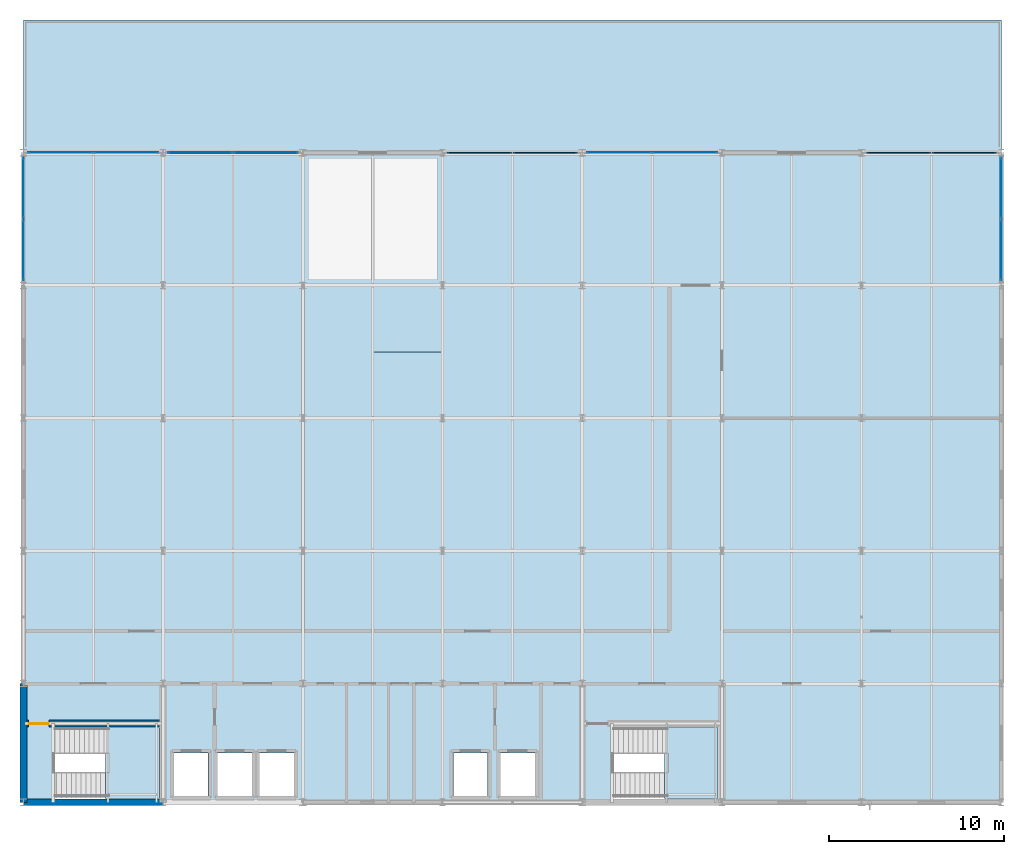
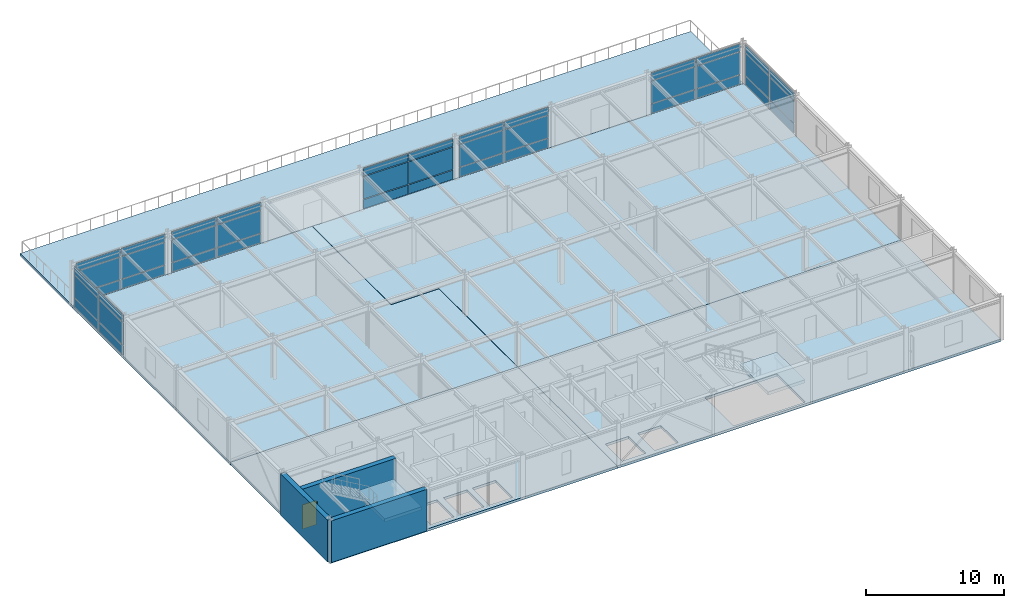
# One storey, part 12 of 17: 42 plates, 7 slabs, 3 walls, 1 door, 1 opening, 9 elements without a shape of their own.
"""IFC4 building model written with IfcOpenShell, lengths in metres."""

from ifc_helpers import new_model, si_unit, direction, frame, frame_2d, origin, origin_2d, place, context, subcontext, project, spatial, polyline, rectangle, outline, extrude, material, layer, layer_set, type_object, element, fill, aggregate, save


model = new_model("IFC4")

# Units and contexts
model_context = context("Model", 3, precision=1e-05, world=origin(), true_north=direction((0.0, 1.0)))
body_context = subcontext(model_context, "Body", "Model", "MODEL_VIEW")
ifc_project = project(units=[si_unit("LENGTHUNIT", "METRE"), si_unit("AREAUNIT", "SQUARE_METRE"), si_unit("VOLUMEUNIT", "CUBIC_METRE"), si_unit("PLANEANGLEUNIT", "RADIAN"), si_unit("MASSUNIT", "GRAM", prefix="KILO")], contexts=[model_context])

# Site, building, storey
site_placement = place(None, origin())
site = spatial("IfcSite", under=ifc_project, at=site_placement, CompositionType="ELEMENT")
building_placement = place(site_placement, origin())
building = spatial("IfcBuilding", under=site, at=building_placement, Name="Shalkamar Park Central Library", CompositionType="ELEMENT")
storey_placement = place(building_placement, frame((0.0, 0.0, 36.0)))
storey = spatial("IfcBuildingStorey", under=building, at=storey_placement, Name="L09", CompositionType="ELEMENT", Elevation=36.0)

# Curtain wall, plates
ifc_material_1 = material(Name="Thermally broken aluminium and triple low-e curtain wall", Category="aluminium")
ifc_layer_1 = layer(ifc_material_1, 0.27001953125)
ifc_layer_set_1 = layer_set([ifc_layer_1], Name="UnitisedCurtainWall_76")
curtain_wall_type_1 = type_object("IfcCurtainWallType", Name="Unitised Curtain Wall 76", PredefinedType="USERDEFINED", material=ifc_layer_set_1)
curtain_wall_1_placement = place(storey_placement, origin())
curtain_wall_1 = element("IfcCurtainWall", 1, at=curtain_wall_1_placement, inside=storey, type_object=curtain_wall_type_1, Name="Unitised Curtain Wall CW-L09-112", ObjectType="UNITISED CURTAIN WALL", PredefinedType="USERDEFINED")
ifc_material_2 = material(Name="Triple-glazed solar-control glass", Category="glass")
ifc_layer_2 = layer(ifc_material_2, 0.031982421875)
ifc_layer_set_2 = layer_set([ifc_layer_2], Name="SolarControlVisionPanel_32")
plate_type_1 = type_object("IfcPlateType", Name="Solar Control Vision Panel 32", PredefinedType="CURTAIN_PANEL", material=ifc_layer_set_2)
plate_1_placement = place(storey_placement, frame((167.121826171875, 285.60009765625, 0.06494140625), z_axis=(0.0, 0.0, 1.0), x_axis=(1.0, 0.0, 0.0)))
plate_1 = element("IfcPlate", 2, at=plate_1_placement, type_object=plate_type_1, Name="CW-76 panel 1.1", PredefinedType="CURTAIN_PANEL", context=body_context, shape_type="SweptSolid", body=[
    extrude(rectangle(XDim=3.677734375, YDim=0.031982421875, at=origin_2d()), origin(), (0.0, 0.0, 1.0), 0.802490234375),
])
plate_2_placement = place(storey_placement, frame((167.121826171875, 285.60009765625, 0.9326171875), z_axis=(0.0, 0.0, 1.0), x_axis=(1.0, 0.0, 0.0)))
plate_2 = element("IfcPlate", 3, at=plate_2_placement, type_object=plate_type_1, Name="CW-76 panel 1.2", PredefinedType="CURTAIN_PANEL", context=body_context, shape_type="SweptSolid", body=[
    extrude(rectangle(XDim=3.677734375, YDim=0.031982421875, at=origin_2d()), origin(), (0.0, 0.0, 1.0), 1.965087890625),
])
plate_3_placement = place(storey_placement, frame((167.121826171875, 285.60009765625, 2.96240234375), z_axis=(0.0, 0.0, 1.0), x_axis=(1.0, 0.0, 0.0)))
plate_3 = element("IfcPlate", 4, at=plate_3_placement, type_object=plate_type_1, Name="CW-76 panel 1.3", PredefinedType="CURTAIN_PANEL", context=body_context, shape_type="SweptSolid", body=[
    extrude(rectangle(XDim=3.677734375, YDim=0.031982421875, at=origin_2d()), origin(), (0.0, 0.0, 1.0), 0.652587890625),
])
plate_4_placement = place(storey_placement, frame((170.879638671875, 285.60009765625, 0.06494140625), z_axis=(0.0, 0.0, 1.0), x_axis=(1.0, 0.0, 0.0)))
plate_4 = element("IfcPlate", 5, at=plate_4_placement, type_object=plate_type_1, Name="CW-76 panel 2.1", PredefinedType="CURTAIN_PANEL", context=body_context, shape_type="SweptSolid", body=[
    extrude(rectangle(XDim=3.677734375, YDim=0.031982421875, at=origin_2d()), origin(), (0.0, 0.0, 1.0), 0.802490234375),
])
plate_5_placement = place(storey_placement, frame((170.879638671875, 285.60009765625, 0.9326171875), z_axis=(0.0, 0.0, 1.0), x_axis=(1.0, 0.0, 0.0)))
plate_5 = element("IfcPlate", 6, at=plate_5_placement, type_object=plate_type_1, Name="CW-76 panel 2.2", PredefinedType="CURTAIN_PANEL", context=body_context, shape_type="SweptSolid", body=[
    extrude(rectangle(XDim=3.677734375, YDim=0.031982421875, at=origin_2d()), origin(), (0.0, 0.0, 1.0), 1.965087890625),
])
plate_6_placement = place(storey_placement, frame((170.879638671875, 285.60009765625, 2.96240234375), z_axis=(0.0, 0.0, 1.0), x_axis=(1.0, 0.0, 0.0)))
plate_6 = element("IfcPlate", 7, at=plate_6_placement, type_object=plate_type_1, Name="CW-76 panel 2.3", PredefinedType="CURTAIN_PANEL", context=body_context, shape_type="SweptSolid", body=[
    extrude(rectangle(XDim=3.677734375, YDim=0.031982421875, at=origin_2d()), origin(), (0.0, 0.0, 1.0), 0.652587890625),
])
aggregate(curtain_wall_1, [plate_1, plate_2, plate_3, plate_4, plate_5, plate_6])

ifc_layer_3 = layer(ifc_material_1, 0.260009765625)
ifc_layer_set_3 = layer_set([ifc_layer_3], Name="UnitisedCurtainWall_80")
curtain_wall_type_2 = type_object("IfcCurtainWallType", Name="Unitised Curtain Wall 80", PredefinedType="USERDEFINED", material=ifc_layer_set_3)
curtain_wall_2_placement = place(storey_placement, origin())
curtain_wall_2 = element("IfcCurtainWall", 8, at=curtain_wall_2_placement, inside=storey, type_object=curtain_wall_type_2, Name="Unitised Curtain Wall CW-L09-115", ObjectType="UNITISED CURTAIN WALL", PredefinedType="USERDEFINED")
plate_7_placement = place(storey_placement, frame((199.12060546875, 285.60009765625, 0.06005859375), z_axis=(0.0, 0.0, 1.0), x_axis=(1.0, 0.0, 0.0)))
plate_7 = element("IfcPlate", 9, at=plate_7_placement, type_object=plate_type_1, Name="CW-80 panel 1.1", PredefinedType="CURTAIN_PANEL", context=body_context, shape_type="SweptSolid", body=[
    extrude(rectangle(XDim=3.685302734375, YDim=0.031982421875, at=origin_2d()), origin(), (0.0, 0.0, 1.0), 0.81005859375),
])
plate_8_placement = place(storey_placement, frame((199.12060546875, 285.60009765625, 0.93017578125), z_axis=(0.0, 0.0, 1.0), x_axis=(1.0, 0.0, 0.0)))
plate_8 = element("IfcPlate", 10, at=plate_8_placement, type_object=plate_type_1, Name="CW-80 panel 1.2", PredefinedType="CURTAIN_PANEL", context=body_context, shape_type="SweptSolid", body=[
    extrude(rectangle(XDim=3.685302734375, YDim=0.031982421875, at=origin_2d()), origin(), (0.0, 0.0, 1.0), 1.969970703125),
])
plate_9_placement = place(storey_placement, frame((199.12060546875, 285.60009765625, 2.9599609375), z_axis=(0.0, 0.0, 1.0), x_axis=(1.0, 0.0, 0.0)))
plate_9 = element("IfcPlate", 11, at=plate_9_placement, type_object=plate_type_1, Name="CW-80 panel 1.3", PredefinedType="CURTAIN_PANEL", context=body_context, shape_type="SweptSolid", body=[
    extrude(rectangle(XDim=3.685302734375, YDim=0.031982421875, at=origin_2d()), origin(), (0.0, 0.0, 1.0), 0.659912109375),
])
plate_10_placement = place(storey_placement, frame((202.880859375, 285.60009765625, 0.06005859375), z_axis=(0.0, 0.0, 1.0), x_axis=(1.0, 0.0, 0.0)))
plate_10 = element("IfcPlate", 12, at=plate_10_placement, type_object=plate_type_1, Name="CW-80 panel 2.1", PredefinedType="CURTAIN_PANEL", context=body_context, shape_type="SweptSolid", body=[
    extrude(rectangle(XDim=3.685302734375, YDim=0.031982421875, at=origin_2d()), origin(), (0.0, 0.0, 1.0), 0.81005859375),
])
plate_11_placement = place(storey_placement, frame((202.880859375, 285.60009765625, 0.93017578125), z_axis=(0.0, 0.0, 1.0), x_axis=(1.0, 0.0, 0.0)))
plate_11 = element("IfcPlate", 13, at=plate_11_placement, type_object=plate_type_1, Name="CW-80 panel 2.2", PredefinedType="CURTAIN_PANEL", context=body_context, shape_type="SweptSolid", body=[
    extrude(rectangle(XDim=3.685302734375, YDim=0.031982421875, at=origin_2d()), origin(), (0.0, 0.0, 1.0), 1.969970703125),
])
plate_12_placement = place(storey_placement, frame((202.880859375, 285.60009765625, 2.9599609375), z_axis=(0.0, 0.0, 1.0), x_axis=(1.0, 0.0, 0.0)))
plate_12 = element("IfcPlate", 14, at=plate_12_placement, type_object=plate_type_1, Name="CW-80 panel 2.3", PredefinedType="CURTAIN_PANEL", context=body_context, shape_type="SweptSolid", body=[
    extrude(rectangle(XDim=3.685302734375, YDim=0.031982421875, at=origin_2d()), origin(), (0.0, 0.0, 1.0), 0.659912109375),
])
aggregate(curtain_wall_2, [plate_7, plate_8, plate_9, plate_10, plate_11, plate_12])

ifc_layer_4 = layer(ifc_material_1, 0.25)
ifc_layer_set_4 = layer_set([ifc_layer_4], Name="UnitisedCurtainWall_79")
curtain_wall_type_3 = type_object("IfcCurtainWallType", Name="Unitised Curtain Wall 79", PredefinedType="USERDEFINED", material=ifc_layer_set_4)
curtain_wall_3_placement = place(storey_placement, origin())
curtain_wall_3 = element("IfcCurtainWall", 15, at=curtain_wall_3_placement, inside=storey, type_object=curtain_wall_type_3, Name="Unitised Curtain Wall CW-L09-114", ObjectType="UNITISED CURTAIN WALL", PredefinedType="USERDEFINED")
ifc_material_3 = material(Name="Insulated aluminium spandrel panel", Category="aluminium")
ifc_layer_5 = layer(ifc_material_3, 0.080078125)
ifc_layer_set_5 = layer_set([ifc_layer_5], Name="SpandrelShadowboxPanel_80")
plate_type_2 = type_object("IfcPlateType", Name="Spandrel Shadowbox Panel 80", PredefinedType="CURTAIN_PANEL", material=ifc_layer_set_5)
plate_13_placement = place(storey_placement, frame((191.119140625, 285.60009765625, 0.06005859375), z_axis=(0.0, 0.0, 1.0), x_axis=(1.0, 0.0, 0.0)))
plate_13 = element("IfcPlate", 16, at=plate_13_placement, type_object=plate_type_2, Name="CW-79 panel 1.1", PredefinedType="CURTAIN_PANEL", context=body_context, shape_type="SweptSolid", body=[
    extrude(rectangle(XDim=3.685302734375, YDim=0.080078125, at=origin_2d()), origin(), (0.0, 0.0, 1.0), 0.81005859375),
])
plate_14_placement = place(storey_placement, frame((191.119140625, 285.60009765625, 0.93017578125), z_axis=(0.0, 0.0, 1.0), x_axis=(1.0, 0.0, 0.0)))
plate_14 = element("IfcPlate", 17, at=plate_14_placement, type_object=plate_type_2, Name="CW-79 panel 1.2", PredefinedType="CURTAIN_PANEL", context=body_context, shape_type="SweptSolid", body=[
    extrude(rectangle(XDim=3.685302734375, YDim=0.080078125, at=origin_2d()), origin(), (0.0, 0.0, 1.0), 1.969970703125),
])
plate_15_placement = place(storey_placement, frame((191.119140625, 285.60009765625, 2.9599609375), z_axis=(0.0, 0.0, 1.0), x_axis=(1.0, 0.0, 0.0)))
plate_15 = element("IfcPlate", 18, at=plate_15_placement, type_object=plate_type_2, Name="CW-79 panel 1.3", PredefinedType="CURTAIN_PANEL", context=body_context, shape_type="SweptSolid", body=[
    extrude(rectangle(XDim=3.685302734375, YDim=0.080078125, at=origin_2d()), origin(), (0.0, 0.0, 1.0), 0.659912109375),
])
plate_16_placement = place(storey_placement, frame((194.87939453125, 285.60009765625, 0.06005859375), z_axis=(0.0, 0.0, 1.0), x_axis=(1.0, 0.0, 0.0)))
plate_16 = element("IfcPlate", 19, at=plate_16_placement, type_object=plate_type_2, Name="CW-79 panel 2.1", PredefinedType="CURTAIN_PANEL", context=body_context, shape_type="SweptSolid", body=[
    extrude(rectangle(XDim=3.685302734375, YDim=0.080078125, at=origin_2d()), origin(), (0.0, 0.0, 1.0), 0.81005859375),
])
plate_17_placement = place(storey_placement, frame((194.87939453125, 285.60009765625, 0.93017578125), z_axis=(0.0, 0.0, 1.0), x_axis=(1.0, 0.0, 0.0)))
plate_17 = element("IfcPlate", 20, at=plate_17_placement, type_object=plate_type_2, Name="CW-79 panel 2.2", PredefinedType="CURTAIN_PANEL", context=body_context, shape_type="SweptSolid", body=[
    extrude(rectangle(XDim=3.685302734375, YDim=0.080078125, at=origin_2d()), origin(), (0.0, 0.0, 1.0), 1.969970703125),
])
plate_18_placement = place(storey_placement, frame((194.87939453125, 285.60009765625, 2.9599609375), z_axis=(0.0, 0.0, 1.0), x_axis=(1.0, 0.0, 0.0)))
plate_18 = element("IfcPlate", 21, at=plate_18_placement, type_object=plate_type_2, Name="CW-79 panel 2.3", PredefinedType="CURTAIN_PANEL", context=body_context, shape_type="SweptSolid", body=[
    extrude(rectangle(XDim=3.685302734375, YDim=0.080078125, at=origin_2d()), origin(), (0.0, 0.0, 1.0), 0.659912109375),
])
aggregate(curtain_wall_3, [plate_13, plate_14, plate_15, plate_16, plate_17, plate_18])

# Stair, slab
ifc_material_4 = material(Name="Concrete C35/45", Category="concrete")
stair_type = type_object("IfcStairType", Name="Protected Dog Leg Stair 150x390", PredefinedType="TWO_STRAIGHT_RUN_STAIR", material=ifc_material_4)
stair_1_placement = place(storey_placement, origin())
stair_1 = element("IfcStair", 22, at=stair_1_placement, inside=storey, type_object=stair_type, Name="Protected Core Stair ST-T1-L09", PredefinedType="TWO_STRAIGHT_RUN_STAIR")
ifc_layer_6 = layer(ifc_material_4, 0.280029296875)
ifc_layer_set_6 = layer_set([ifc_layer_6], Name="Concrete C35/45")
slab_type_1 = type_object("IfcSlabType", Name="Stair Landing Slab 160", PredefinedType="LANDING", material=ifc_layer_set_6)
slab_1_placement = place(storey_placement, frame((0.0, 0.0, 1.669921875)))
slab_1 = element("IfcSlab", 23, at=slab_1_placement, type_object=slab_type_1, Name="ST-T1-L09 landing 1", PredefinedType="LANDING", context=body_context, shape_type="SweptSolid", body=[
    extrude(outline(polyline([(169.699951171875, 248.6201171875), (172.780029296875, 248.6201171875), (172.780029296875, 252.679931640625), (169.699951171875, 252.679931640625), (169.699951171875, 248.6201171875)])), origin(), (0.0, 0.0, 1.0), 0.280029296875),
])
aggregate(stair_1, [slab_1])

stair_2_placement = place(storey_placement, origin())
stair_2 = element("IfcStair", 24, at=stair_2_placement, inside=storey, type_object=stair_type, Name="Protected Core Stair ST-T2-L09", PredefinedType="TWO_STRAIGHT_RUN_STAIR")
slab_2_placement = place(storey_placement, frame((0.0, 0.0, 1.669921875)))
slab_2 = element("IfcSlab", 25, at=slab_2_placement, type_object=slab_type_1, Name="ST-T2-L09 landing 1", PredefinedType="LANDING", context=body_context, shape_type="SweptSolid", body=[
    extrude(outline(polyline([(201.699951171875, 248.6201171875), (204.780029296875, 248.6201171875), (204.780029296875, 252.679931640625), (201.699951171875, 252.679931640625), (201.699951171875, 248.6201171875)])), origin(), (0.0, 0.0, 1.0), 0.280029296875),
])
aggregate(stair_2, [slab_2])

# Slabs
ifc_layer_7 = layer(ifc_material_4, 0.219970703125)
ifc_layer_set_7 = layer_set([ifc_layer_7], Name="Concrete C35/45")
slab_type_2 = type_object("IfcSlabType", Name="Suspended Floor Slab 220", PredefinedType="FLOOR", material=ifc_layer_set_7)
slab_3_placement = place(storey_placement, frame((0.0, 0.0, -0.219970703125)))
element("IfcSlab", 26, at=slab_3_placement, inside=storey, type_object=slab_type_2, Name="Level L09 Composite Floor Slab NW", PredefinedType="FLOOR", context=body_context, shape_type="SweptSolid", body=[
    extrude(outline(polyline([(165.0, 262.800048828125), (188.989990234375, 262.800048828125), (188.989990234375, 274.18994140625), (184.989990234375, 274.18994140625), (184.989990234375, 285.60009765625), (165.0, 285.60009765625), (165.0, 262.800048828125)])), origin(), (0.0, 0.0, 1.0), 0.219970703125),
])
slab_4_placement = place(storey_placement, frame((0.0, 0.0, -0.219970703125)))
element("IfcSlab", 27, at=slab_4_placement, inside=storey, type_object=slab_type_2, Name="Level L09 Composite Floor Slab NE", PredefinedType="FLOOR", context=body_context, shape_type="SweptSolid", body=[
    extrude(outline(polyline([(189.010009765625, 262.800048828125), (221.0, 262.800048828125), (221.0, 285.60009765625), (185.010009765625, 285.60009765625), (185.010009765625, 274.2099609375), (189.010009765625, 274.2099609375), (189.010009765625, 262.800048828125)])), origin(), (0.0, 0.0, 1.0), 0.219970703125),
])
slab_5_placement = place(storey_placement, frame((0.0, 0.0, -0.219970703125)))
element("IfcSlab", 28, at=slab_5_placement, inside=storey, type_object=slab_type_2, Name="Level L09 Composite Floor Slab SW", PredefinedType="FLOOR", context=body_context, shape_type="SweptSolid", body=[
    extrude(outline(polyline([(165.0, 248.39990234375), (165.0, 262.800048828125), (189.0, 262.800048828125), (189.0, 248.39990234375), (165.0, 248.39990234375)]), holes=[polyline([(173.6201171875, 248.77001953125), (175.580078125, 248.77001953125), (175.580078125, 251.22998046875), (173.6201171875, 251.22998046875), (173.6201171875, 248.77001953125)]), polyline([(176.1201171875, 251.22998046875), (176.1201171875, 248.77001953125), (178.080078125, 248.77001953125), (178.080078125, 251.22998046875), (176.1201171875, 251.22998046875)]), polyline([(178.52001953125, 251.22998046875), (178.52001953125, 248.77001953125), (180.47998046875, 248.77001953125), (180.47998046875, 251.22998046875), (178.52001953125, 251.22998046875)]), polyline([(166.800048828125, 252.699951171875), (166.800048828125, 248.60009765625), (172.800048828125, 248.60009765625), (172.800048828125, 252.699951171875), (166.800048828125, 252.699951171875)])]), origin(), (0.0, 0.0, 1.0), 0.219970703125),
])
slab_6_placement = place(storey_placement, frame((0.0, 0.0, -0.219970703125)))
element("IfcSlab", 29, at=slab_6_placement, inside=storey, type_object=slab_type_2, Name="Level L09 Composite Floor Slab SE", PredefinedType="FLOOR", context=body_context, shape_type="SweptSolid", body=[
    extrude(outline(polyline([(189.0, 248.39990234375), (189.0, 262.800048828125), (221.0, 262.800048828125), (221.0, 248.39990234375), (189.0, 248.39990234375)]), holes=[polyline([(189.6201171875, 251.22998046875), (189.6201171875, 248.77001953125), (191.580078125, 248.77001953125), (191.580078125, 251.22998046875), (189.6201171875, 251.22998046875)]), polyline([(192.320068359375, 251.22998046875), (192.320068359375, 248.77001953125), (194.280029296875, 248.77001953125), (194.280029296875, 251.22998046875), (192.320068359375, 251.22998046875)]), polyline([(198.800048828125, 252.699951171875), (198.800048828125, 248.60009765625), (204.800048828125, 248.60009765625), (204.800048828125, 252.699951171875), (198.800048828125, 252.699951171875)])]), origin(), (0.0, 0.0, 1.0), 0.219970703125),
])
slab_7_placement = place(storey_placement, frame((0.0, 0.0, -0.219970703125)))
element("IfcSlab", 30, at=slab_7_placement, inside=storey, type_object=slab_type_2, Name="Outdoor Reading Terrace Slab TER-L09-N", PredefinedType="FLOOR", context=body_context, shape_type="SweptSolid", body=[
    extrude(outline(polyline([(165.0, 285.60009765625), (221.0, 285.60009765625), (221.0, 293.199951171875), (165.0, 293.199951171875), (165.0, 285.60009765625)])), origin(), (0.0, 0.0, 1.0), 0.219970703125),
])

# Curtain wall, plates
curtain_wall_4_placement = place(storey_placement, origin())
curtain_wall_4 = element("IfcCurtainWall", 31, at=curtain_wall_4_placement, inside=storey, type_object=curtain_wall_type_1, Name="Unitised Curtain Wall CW-L09-116", ObjectType="UNITISED CURTAIN WALL", PredefinedType="USERDEFINED")
ifc_material_5 = material(Name="Triple-glazed laminated glass", Category="glass")
ifc_layer_8 = layer(ifc_material_5, 0.06005859375)
ifc_layer_set_8 = layer_set([ifc_layer_8], Name="TripleGlazedPodiumPanel_60")
plate_type_3 = type_object("IfcPlateType", Name="Triple Glazed Podium Panel 60", PredefinedType="CURTAIN_PANEL", material=ifc_layer_set_8)
plate_19_placement = place(storey_placement, frame((215.121826171875, 285.60009765625, 0.06494140625), z_axis=(0.0, 0.0, 1.0), x_axis=(1.0, 0.0, 0.0)))
plate_19 = element("IfcPlate", 32, at=plate_19_placement, type_object=plate_type_3, Name="CW-76 panel 1.1", PredefinedType="CURTAIN_PANEL", context=body_context, shape_type="SweptSolid", body=[
    extrude(rectangle(XDim=3.677734375, YDim=0.06005859375, at=origin_2d()), origin(), (0.0, 0.0, 1.0), 0.802490234375),
])
plate_20_placement = place(storey_placement, frame((215.121826171875, 285.60009765625, 0.9326171875), z_axis=(0.0, 0.0, 1.0), x_axis=(1.0, 0.0, 0.0)))
plate_20 = element("IfcPlate", 33, at=plate_20_placement, type_object=plate_type_3, Name="CW-76 panel 1.2", PredefinedType="CURTAIN_PANEL", context=body_context, shape_type="SweptSolid", body=[
    extrude(rectangle(XDim=3.677734375, YDim=0.06005859375, at=origin_2d()), origin(), (0.0, 0.0, 1.0), 1.965087890625),
])
plate_21_placement = place(storey_placement, frame((215.121826171875, 285.60009765625, 2.96240234375), z_axis=(0.0, 0.0, 1.0), x_axis=(1.0, 0.0, 0.0)))
plate_21 = element("IfcPlate", 34, at=plate_21_placement, type_object=plate_type_3, Name="CW-76 panel 1.3", PredefinedType="CURTAIN_PANEL", context=body_context, shape_type="SweptSolid", body=[
    extrude(rectangle(XDim=3.677734375, YDim=0.06005859375, at=origin_2d()), origin(), (0.0, 0.0, 1.0), 0.652587890625),
])
plate_22_placement = place(storey_placement, frame((218.879638671875, 285.60009765625, 0.06494140625), z_axis=(0.0, 0.0, 1.0), x_axis=(1.0, 0.0, 0.0)))
plate_22 = element("IfcPlate", 35, at=plate_22_placement, type_object=plate_type_3, Name="CW-76 panel 2.1", PredefinedType="CURTAIN_PANEL", context=body_context, shape_type="SweptSolid", body=[
    extrude(rectangle(XDim=3.677734375, YDim=0.06005859375, at=origin_2d()), origin(), (0.0, 0.0, 1.0), 0.802490234375),
])
plate_23_placement = place(storey_placement, frame((218.879638671875, 285.60009765625, 0.9326171875), z_axis=(0.0, 0.0, 1.0), x_axis=(1.0, 0.0, 0.0)))
plate_23 = element("IfcPlate", 36, at=plate_23_placement, type_object=plate_type_3, Name="CW-76 panel 2.2", PredefinedType="CURTAIN_PANEL", context=body_context, shape_type="SweptSolid", body=[
    extrude(rectangle(XDim=3.677734375, YDim=0.06005859375, at=origin_2d()), origin(), (0.0, 0.0, 1.0), 1.965087890625),
])
plate_24_placement = place(storey_placement, frame((218.879638671875, 285.60009765625, 2.96240234375), z_axis=(0.0, 0.0, 1.0), x_axis=(1.0, 0.0, 0.0)))
plate_24 = element("IfcPlate", 37, at=plate_24_placement, type_object=plate_type_3, Name="CW-76 panel 2.3", PredefinedType="CURTAIN_PANEL", context=body_context, shape_type="SweptSolid", body=[
    extrude(rectangle(XDim=3.677734375, YDim=0.06005859375, at=origin_2d()), origin(), (0.0, 0.0, 1.0), 0.652587890625),
])
aggregate(curtain_wall_4, [plate_19, plate_20, plate_21, plate_22, plate_23, plate_24])

ifc_layer_9 = layer(ifc_material_1, 0.264892578125)
ifc_layer_set_9 = layer_set([ifc_layer_9], Name="UnitisedCurtainWall_77")
curtain_wall_type_4 = type_object("IfcCurtainWallType", Name="Unitised Curtain Wall 77", PredefinedType="USERDEFINED", material=ifc_layer_set_9)
curtain_wall_5_placement = place(storey_placement, origin())
curtain_wall_5 = element("IfcCurtainWall", 38, at=curtain_wall_5_placement, inside=storey, type_object=curtain_wall_type_4, Name="Unitised Curtain Wall CW-L09-113", ObjectType="UNITISED CURTAIN WALL", PredefinedType="USERDEFINED")
ifc_material_6 = material(Name="Triple-glazed low-e safety glass", Category="glass")
ifc_layer_10 = layer(ifc_material_6, 0.0439453125)
ifc_layer_set_10 = layer_set([ifc_layer_10], Name="TripleGlazedVisionPanel_44")
plate_type_4 = type_object("IfcPlateType", Name="Triple Glazed Vision Panel 44", PredefinedType="CURTAIN_PANEL", material=ifc_layer_set_10)
plate_25_placement = place(storey_placement, frame((175.12158203125, 285.60009765625, 0.070068359375), z_axis=(0.0, 0.0, 1.0), x_axis=(1.0, 0.0, 0.0)))
plate_25 = element("IfcPlate", 39, at=plate_25_placement, type_object=plate_type_4, Name="CW-77 panel 1.1", PredefinedType="CURTAIN_PANEL", context=body_context, shape_type="SweptSolid", body=[
    extrude(rectangle(XDim=3.670166015625, YDim=0.0439453125, at=origin_2d()), origin(), (0.0, 0.0, 1.0), 0.794921875),
])
plate_26_placement = place(storey_placement, frame((175.12158203125, 285.60009765625, 0.93505859375), z_axis=(0.0, 0.0, 1.0), x_axis=(1.0, 0.0, 0.0)))
plate_26 = element("IfcPlate", 40, at=plate_26_placement, type_object=plate_type_4, Name="CW-77 panel 1.2", PredefinedType="CURTAIN_PANEL", context=body_context, shape_type="SweptSolid", body=[
    extrude(rectangle(XDim=3.670166015625, YDim=0.0439453125, at=origin_2d()), origin(), (0.0, 0.0, 1.0), 1.9599609375),
])
plate_27_placement = place(storey_placement, frame((175.12158203125, 285.60009765625, 2.965087890625), z_axis=(0.0, 0.0, 1.0), x_axis=(1.0, 0.0, 0.0)))
plate_27 = element("IfcPlate", 41, at=plate_27_placement, type_object=plate_type_4, Name="CW-77 panel 1.3", PredefinedType="CURTAIN_PANEL", context=body_context, shape_type="SweptSolid", body=[
    extrude(rectangle(XDim=3.670166015625, YDim=0.0439453125, at=origin_2d()), origin(), (0.0, 0.0, 1.0), 0.64501953125),
])
plate_28_placement = place(storey_placement, frame((178.876953125, 285.60009765625, 0.070068359375), z_axis=(0.0, 0.0, 1.0), x_axis=(1.0, 0.0, 0.0)))
plate_28 = element("IfcPlate", 42, at=plate_28_placement, type_object=plate_type_4, Name="CW-77 panel 2.1", PredefinedType="CURTAIN_PANEL", context=body_context, shape_type="SweptSolid", body=[
    extrude(rectangle(XDim=3.670166015625, YDim=0.0439453125, at=origin_2d()), origin(), (0.0, 0.0, 1.0), 0.794921875),
])
plate_29_placement = place(storey_placement, frame((178.876953125, 285.60009765625, 0.93505859375), z_axis=(0.0, 0.0, 1.0), x_axis=(1.0, 0.0, 0.0)))
plate_29 = element("IfcPlate", 43, at=plate_29_placement, type_object=plate_type_4, Name="CW-77 panel 2.2", PredefinedType="CURTAIN_PANEL", context=body_context, shape_type="SweptSolid", body=[
    extrude(rectangle(XDim=3.670166015625, YDim=0.0439453125, at=origin_2d()), origin(), (0.0, 0.0, 1.0), 1.9599609375),
])
plate_30_placement = place(storey_placement, frame((178.876953125, 285.60009765625, 2.965087890625), z_axis=(0.0, 0.0, 1.0), x_axis=(1.0, 0.0, 0.0)))
plate_30 = element("IfcPlate", 44, at=plate_30_placement, type_object=plate_type_4, Name="CW-77 panel 2.3", PredefinedType="CURTAIN_PANEL", context=body_context, shape_type="SweptSolid", body=[
    extrude(rectangle(XDim=3.670166015625, YDim=0.0439453125, at=origin_2d()), origin(), (0.0, 0.0, 1.0), 0.64501953125),
])
aggregate(curtain_wall_5, [plate_25, plate_26, plate_27, plate_28, plate_29, plate_30])

ifc_layer_11 = layer(ifc_material_1, 0.264892578125)
ifc_layer_set_11 = layer_set([ifc_layer_11], Name="UnitisedCurtainWall_81")
curtain_wall_type_5 = type_object("IfcCurtainWallType", Name="Unitised Curtain Wall 81", PredefinedType="USERDEFINED", material=ifc_layer_set_11)
curtain_wall_6_placement = place(storey_placement, origin())
curtain_wall_6 = element("IfcCurtainWall", 45, at=curtain_wall_6_placement, inside=storey, type_object=curtain_wall_type_5, Name="Unitised Curtain Wall CW-L09-117", ObjectType="UNITISED CURTAIN WALL", PredefinedType="USERDEFINED")
plate_31_placement = place(storey_placement, frame((165.0, 280.022705078125, 0.070068359375), z_axis=(0.0, 0.0, 1.0), x_axis=(0.0, 1.0, 0.0)))
plate_31 = element("IfcPlate", 46, at=plate_31_placement, type_object=plate_type_4, Name="CW-81 panel 1.1", PredefinedType="CURTAIN_PANEL", context=body_context, shape_type="SweptSolid", body=[
    extrude(rectangle(XDim=3.469482421875, YDim=0.0439453125, at=origin_2d()), origin(), (0.0, 0.0, 1.0), 0.794921875),
])
plate_32_placement = place(storey_placement, frame((165.0, 280.022705078125, 0.93505859375), z_axis=(0.0, 0.0, 1.0), x_axis=(0.0, 1.0, 0.0)))
plate_32 = element("IfcPlate", 47, at=plate_32_placement, type_object=plate_type_4, Name="CW-81 panel 1.2", PredefinedType="CURTAIN_PANEL", context=body_context, shape_type="SweptSolid", body=[
    extrude(rectangle(XDim=3.469482421875, YDim=0.0439453125, at=origin_2d()), origin(), (0.0, 0.0, 1.0), 1.9599609375),
])
plate_33_placement = place(storey_placement, frame((165.0, 280.022705078125, 2.965087890625), z_axis=(0.0, 0.0, 1.0), x_axis=(0.0, 1.0, 0.0)))
plate_33 = element("IfcPlate", 48, at=plate_33_placement, type_object=plate_type_4, Name="CW-81 panel 1.3", PredefinedType="CURTAIN_PANEL", context=body_context, shape_type="SweptSolid", body=[
    extrude(rectangle(XDim=3.469482421875, YDim=0.0439453125, at=origin_2d()), origin(), (0.0, 0.0, 1.0), 0.64501953125),
])
plate_34_placement = place(storey_placement, frame((165.0, 283.5771484375, 0.070068359375), z_axis=(0.0, 0.0, 1.0), x_axis=(0.0, 1.0, 0.0)))
plate_34 = element("IfcPlate", 49, at=plate_34_placement, type_object=plate_type_4, Name="CW-81 panel 2.1", PredefinedType="CURTAIN_PANEL", context=body_context, shape_type="SweptSolid", body=[
    extrude(rectangle(XDim=3.469482421875, YDim=0.0439453125, at=origin_2d()), origin(), (0.0, 0.0, 1.0), 0.794921875),
])
plate_35_placement = place(storey_placement, frame((165.0, 283.5771484375, 0.93505859375), z_axis=(0.0, 0.0, 1.0), x_axis=(0.0, 1.0, 0.0)))
plate_35 = element("IfcPlate", 50, at=plate_35_placement, type_object=plate_type_4, Name="CW-81 panel 2.2", PredefinedType="CURTAIN_PANEL", context=body_context, shape_type="SweptSolid", body=[
    extrude(rectangle(XDim=3.469482421875, YDim=0.0439453125, at=origin_2d()), origin(), (0.0, 0.0, 1.0), 1.9599609375),
])
plate_36_placement = place(storey_placement, frame((165.0, 283.5771484375, 2.965087890625), z_axis=(0.0, 0.0, 1.0), x_axis=(0.0, 1.0, 0.0)))
plate_36 = element("IfcPlate", 51, at=plate_36_placement, type_object=plate_type_4, Name="CW-81 panel 2.3", PredefinedType="CURTAIN_PANEL", context=body_context, shape_type="SweptSolid", body=[
    extrude(rectangle(XDim=3.469482421875, YDim=0.0439453125, at=origin_2d()), origin(), (0.0, 0.0, 1.0), 0.64501953125),
])
aggregate(curtain_wall_6, [plate_31, plate_32, plate_33, plate_34, plate_35, plate_36])

curtain_wall_7_placement = place(storey_placement, origin())
curtain_wall_7 = element("IfcCurtainWall", 52, at=curtain_wall_7_placement, inside=storey, type_object=curtain_wall_type_5, Name="Unitised Curtain Wall CW-L09-118", ObjectType="UNITISED CURTAIN WALL", PredefinedType="USERDEFINED")
plate_37_placement = place(storey_placement, frame((221.0, 280.02197265625, 0.070068359375), z_axis=(0.0, 0.0, 1.0), x_axis=(0.0, 1.0, 0.0)))
plate_37 = element("IfcPlate", 53, at=plate_37_placement, type_object=plate_type_4, Name="CW-81 panel 1.1", PredefinedType="CURTAIN_PANEL", context=body_context, shape_type="SweptSolid", body=[
    extrude(rectangle(XDim=3.470947265625, YDim=0.0439453125, at=origin_2d()), origin(), (0.0, 0.0, 1.0), 0.794921875),
])
plate_38_placement = place(storey_placement, frame((221.0, 280.02197265625, 0.93505859375), z_axis=(0.0, 0.0, 1.0), x_axis=(0.0, 1.0, 0.0)))
plate_38 = element("IfcPlate", 54, at=plate_38_placement, type_object=plate_type_4, Name="CW-81 panel 1.2", PredefinedType="CURTAIN_PANEL", context=body_context, shape_type="SweptSolid", body=[
    extrude(rectangle(XDim=3.470947265625, YDim=0.0439453125, at=origin_2d()), origin(), (0.0, 0.0, 1.0), 1.9599609375),
])
plate_39_placement = place(storey_placement, frame((221.0, 280.02197265625, 2.965087890625), z_axis=(0.0, 0.0, 1.0), x_axis=(0.0, 1.0, 0.0)))
plate_39 = element("IfcPlate", 55, at=plate_39_placement, type_object=plate_type_4, Name="CW-81 panel 1.3", PredefinedType="CURTAIN_PANEL", context=body_context, shape_type="SweptSolid", body=[
    extrude(rectangle(XDim=3.470947265625, YDim=0.0439453125, at=origin_2d()), origin(), (0.0, 0.0, 1.0), 0.64501953125),
])
plate_40_placement = place(storey_placement, frame((221.0, 283.577880859375, 0.070068359375), z_axis=(0.0, 0.0, 1.0), x_axis=(0.0, 1.0, 0.0)))
plate_40 = element("IfcPlate", 56, at=plate_40_placement, type_object=plate_type_4, Name="CW-81 panel 2.1", PredefinedType="CURTAIN_PANEL", context=body_context, shape_type="SweptSolid", body=[
    extrude(rectangle(XDim=3.470947265625, YDim=0.0439453125, at=origin_2d()), origin(), (0.0, 0.0, 1.0), 0.794921875),
])
plate_41_placement = place(storey_placement, frame((221.0, 283.577880859375, 0.93505859375), z_axis=(0.0, 0.0, 1.0), x_axis=(0.0, 1.0, 0.0)))
plate_41 = element("IfcPlate", 57, at=plate_41_placement, type_object=plate_type_4, Name="CW-81 panel 2.2", PredefinedType="CURTAIN_PANEL", context=body_context, shape_type="SweptSolid", body=[
    extrude(rectangle(XDim=3.470947265625, YDim=0.0439453125, at=origin_2d()), origin(), (0.0, 0.0, 1.0), 1.9599609375),
])
plate_42_placement = place(storey_placement, frame((221.0, 283.577880859375, 2.965087890625), z_axis=(0.0, 0.0, 1.0), x_axis=(0.0, 1.0, 0.0)))
plate_42 = element("IfcPlate", 58, at=plate_42_placement, type_object=plate_type_4, Name="CW-81 panel 2.3", PredefinedType="CURTAIN_PANEL", context=body_context, shape_type="SweptSolid", body=[
    extrude(rectangle(XDim=3.470947265625, YDim=0.0439453125, at=origin_2d()), origin(), (0.0, 0.0, 1.0), 0.64501953125),
])
aggregate(curtain_wall_7, [plate_37, plate_38, plate_39, plate_40, plate_41, plate_42])

# Walls
ifc_material_7 = material(Name="Concrete C40/50", Category="concrete")
ifc_layer_12 = layer(ifc_material_7, 0.39990234375)
ifc_layer_set_12 = layer_set([ifc_layer_12], Name="Concrete C40/50")
wall_type = type_object("IfcWallType", Name="Tower Core Shear Wall 400", PredefinedType="SHEAR", material=ifc_layer_set_12)
wall_1_placement = place(storey_placement, frame((165.0, 248.39990234375, 0.0), z_axis=(0.0, 0.0, 1.0), x_axis=(1.0, 0.0, 0.0)))
element("IfcWall", 59, at=wall_1_placement, inside=storey, type_object=wall_type, Name="CORE-T1 South Shear Wall (L09)", PredefinedType="SHEAR", context=body_context, shape_type="SweptSolid", body=[
    extrude(rectangle(XDim=8.0, YDim=0.39990234375, at=frame_2d((4.0, 0.0))), origin(), (0.0, 0.0, 1.0), 3.679931640625),
])
wall_2_placement = place(storey_placement, frame((165.0, 248.39990234375, 0.0), z_axis=(0.0, 0.0, 1.0), x_axis=(0.0, 1.0, 0.0)))
element("IfcWall", 60, at=wall_2_placement, inside=storey, type_object=wall_type, Name="CORE-T1 West Shear Wall (L09)", PredefinedType="SHEAR", context=body_context, shape_type="SweptSolid", body=[
    extrude(rectangle(XDim=6.800048828125, YDim=0.39990234375, at=frame_2d((3.39990234375, 0.0))), origin(), (0.0, 0.0, 1.0), 3.679931640625),
])

# Wall, opening, door
wall_3_placement = place(storey_placement, frame((165.0, 252.89990234375, 0.0), z_axis=(0.0, 0.0, 1.0), x_axis=(1.0, 0.0, 0.0)))
wall_3 = element("IfcWall", 61, at=wall_3_placement, inside=storey, type_object=wall_type, Name="CORE-T1 Stairwell Wall (L09)", PredefinedType="SHEAR", context=body_context, shape_type="SweptSolid", body=[
    extrude(rectangle(XDim=8.0, YDim=0.39990234375, at=frame_2d((4.0, 0.0))), origin(), (0.0, 0.0, 1.0), 3.679931640625),
])
opening_placement = place(wall_3_placement, frame((0.300048828125, 0.0, 0.0)))
opening = element("IfcOpeningElement", 62, at=opening_placement, cuts=wall_3, Name="Opening DR-ST-T1-L09-IN", PredefinedType="OPENING", context=body_context, shape_type="SweptSolid", body=[
    extrude(rectangle(XDim=1.14990234375, YDim=2.14990234375, at=frame_2d((0.574951171875, 1.074951171875))), frame((0.0, 0.21484375, 0.0), z_axis=(0.0, -1.0, 0.0), x_axis=(1.0, 0.0, 0.0)), (0.0, 0.0, 1.0), 0.4296875),
])
ifc_material_8 = material(Name="Steel S355", Category="steel")
door_type = type_object("IfcDoorType", Name="Stair Core Exit Door 1150x2150", OperationType="NOTDEFINED", PredefinedType="DOOR", material=ifc_material_8)
door_placement = place(opening_placement, frame((1.14990234375, 0.0, 0.0), z_axis=(0.0, 0.0, 1.0), x_axis=(-1.0, 0.0, 0.0)))
door = element("IfcDoor", 63, at=door_placement, inside=storey, type_object=door_type, Name="Protected Stair ST-T1 Exit Door (L09)", OperationType="SINGLE_SWING_RIGHT", OverallHeight=2.14990234375, OverallWidth=1.14990234375, PredefinedType="DOOR", context=body_context, shape_type="SweptSolid", body=[
    extrude(rectangle(XDim=1.14990234375, YDim=2.14990234375, at=frame_2d((0.574951171875, 1.074951171875))), frame((0.0, 0.02490234375, 0.0), z_axis=(0.0, -1.0, 0.0), x_axis=(1.0, 0.0, 0.0)), (0.0, 0.0, 1.0), 0.050048828125),
])
fill(opening, door)

save(model, "model.ifc")
